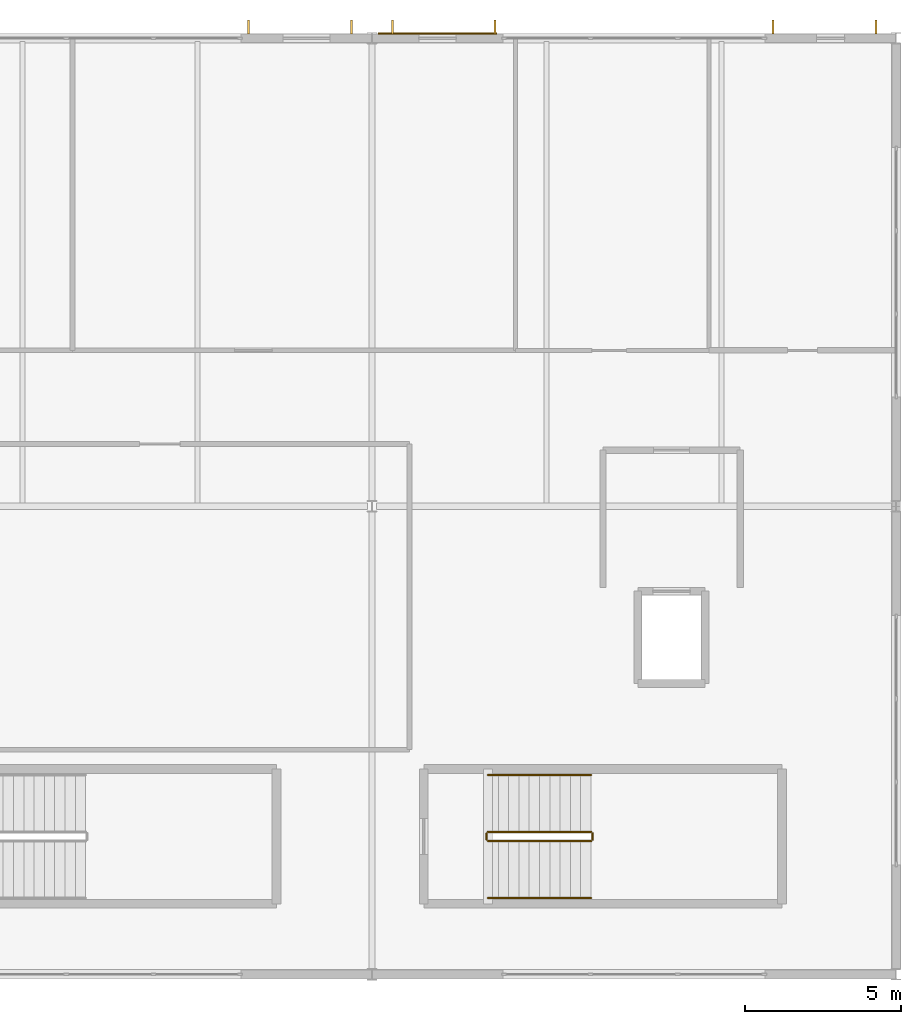
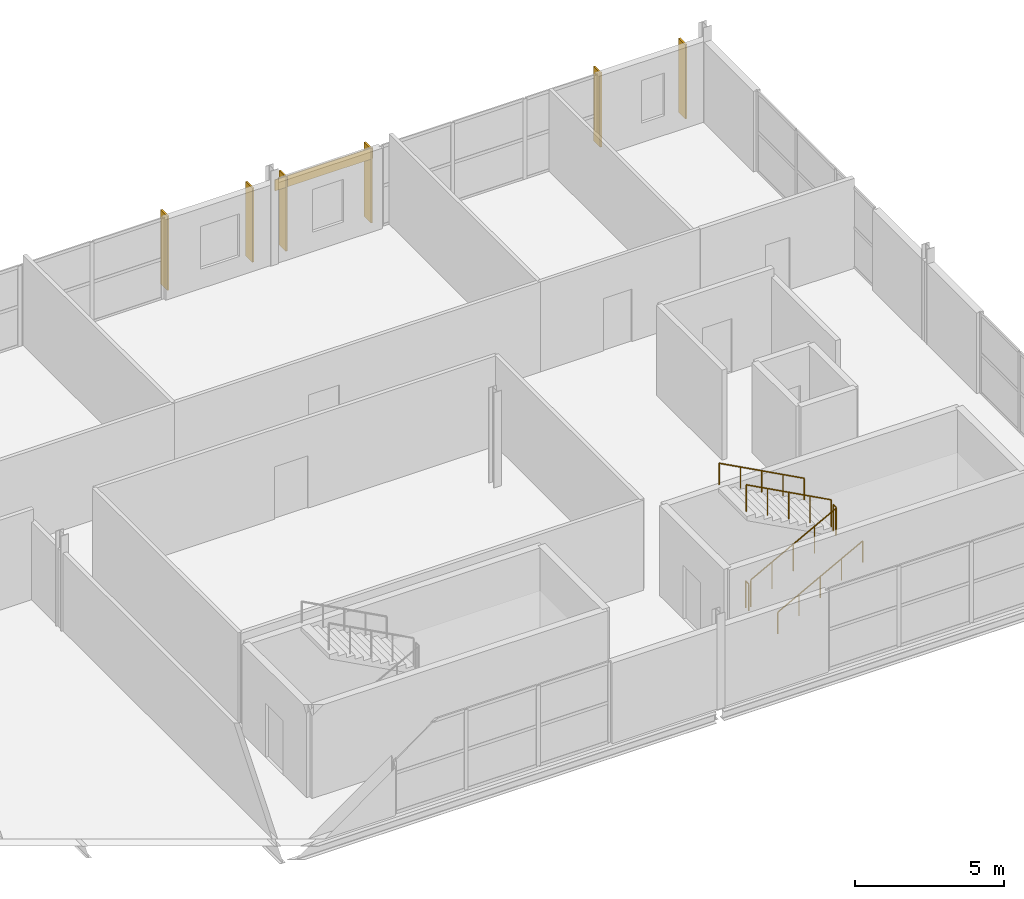
# One storey, part 18 of 18: 6 railings, 6 shading devices, 1 covering.
"""IFC4 building model written with IfcOpenShell, lengths in metres."""

from ifc_helpers import new_model, si_unit, direction, frame, origin, origin_2d, place, context, subcontext, project, spatial, rectangle, circle, extrude, material, layer, layer_set, type_object, element, save


model = new_model("IFC4")

# Units and contexts
model_context = context("Model", 3, precision=1e-05, world=origin(), true_north=direction((0.0, 1.0)))
body_context = subcontext(model_context, "Body", "Model", "MODEL_VIEW")
ifc_project = project(units=[si_unit("LENGTHUNIT", "METRE"), si_unit("AREAUNIT", "SQUARE_METRE"), si_unit("VOLUMEUNIT", "CUBIC_METRE"), si_unit("PLANEANGLEUNIT", "RADIAN"), si_unit("MASSUNIT", "GRAM", prefix="KILO")], contexts=[model_context])

# Site, building, storey
site_placement = place(None, origin())
site = spatial("IfcSite", under=ifc_project, at=site_placement, CompositionType="ELEMENT")
building_placement = place(site_placement, origin())
building = spatial("IfcBuilding", under=site, at=building_placement, Name="Kimbaza Rail Terminus", CompositionType="ELEMENT")
storey_placement = place(building_placement, frame((0.0, 0.0, 24.89990234375)))
storey = spatial("IfcBuildingStorey", under=building, at=storey_placement, Name="L05", CompositionType="ELEMENT", Elevation=24.89990234375)

# Covering
ifc_material_1 = material(Name="Champagne anodised aluminium spandrel cladding", Category="aluminium")
ifc_layer = layer(ifc_material_1, 0.034912109375)
ifc_layer_set = layer_set([ifc_layer], Name="Champagne anodised aluminium spandrel cladding")
covering_type = type_object("IfcCoveringType", Name="ARC-COV-CLD1", PredefinedType="CLADDING", material=ifc_layer_set)
covering_placement = place(storey_placement, frame((124.5, 133.156005859375, 2.77490234375), z_axis=(0.0, 0.0, 1.0), x_axis=(1.0, 0.0, 0.0)))
element("IfcCovering", 1, at=covering_placement, inside=storey, type_object=covering_type, Name="North Spandrel Cladding L05 Bay 4", PredefinedType="CLADDING", context=body_context, shape_type="SweptSolid", body=[
    extrude(rectangle(XDim=3.800048828125, YDim=0.034912109375, at=origin_2d()), origin(), (0.0, 0.0, 1.0), 0.449951171875),
])

# Railings
ifc_material_2 = material(Name="Brushed stainless steel handrail", Category="steel")
railing_type_1 = type_object("IfcRailingType", Name="ARC-RL-HND92", PredefinedType="HANDRAIL", material=ifc_material_2)
railing_1_placement = place(storey_placement, frame((126.1201171875, 105.449951171875, 0.177490234375)))
element("IfcRailing", 2, at=railing_1_placement, inside=storey, type_object=railing_type_1, Name="L05 ST-E1 stair handrail 1", PredefinedType="HANDRAIL", context=body_context, shape_type="SweptSolid", body=[
    extrude(circle(Radius=0.02392578125, at=origin_2d()), frame((0.0, 0.0, 0.8759765625), z_axis=(0.880929018602, 0.0, 0.473248416992), x_axis=(0.0, 1.0, 0.0)), (0.0, 0.0, 1.0), 3.745849609375),
    extrude(circle(Radius=0.02099609375, at=origin_2d()), origin(), (0.0, 0.0, 1.0), 0.851806640625),
    extrude(circle(Radius=0.02099609375, at=origin_2d()), frame((0.824951171875, 0.0, 0.443115234375)), (0.0, 0.0, 1.0), 0.851806640625),
    extrude(circle(Radius=0.02099609375, at=origin_2d()), frame((1.64990234375, 0.0, 0.88623046875)), (0.0, 0.0, 1.0), 0.851806640625),
    extrude(circle(Radius=0.02099609375, at=origin_2d()), frame((2.474853515625, 0.0, 1.32958984375)), (0.0, 0.0, 1.0), 0.851806640625),
    extrude(circle(Radius=0.02099609375, at=origin_2d()), frame((3.2998046875, 0.0, 1.772705078125)), (0.0, 0.0, 1.0), 0.851806640625),
])
railing_2_placement = place(storey_placement, frame((129.419921875, 109.389892578125, 2.12744140625)))
element("IfcRailing", 3, at=railing_2_placement, inside=storey, type_object=railing_type_1, Name="L05 ST-E1 stair handrail 2", PredefinedType="HANDRAIL", context=body_context, shape_type="SweptSolid", body=[
    extrude(circle(Radius=0.02392578125, at=origin_2d()), frame((0.0, 0.0, 0.8759765625), z_axis=(-0.880929018602, 0.0, 0.473248416992), x_axis=(0.0, -1.0, 0.0)), (0.0, 0.0, 1.0), 3.745849609375),
    extrude(circle(Radius=0.02099609375, at=origin_2d()), origin(), (0.0, 0.0, 1.0), 0.851806640625),
    extrude(circle(Radius=0.02099609375, at=origin_2d()), frame((-0.824951171875, 0.0, 0.443115234375)), (0.0, 0.0, 1.0), 0.851806640625),
    extrude(circle(Radius=0.02099609375, at=origin_2d()), frame((-1.64990234375, 0.0, 0.88623046875)), (0.0, 0.0, 1.0), 0.851806640625),
    extrude(circle(Radius=0.02099609375, at=origin_2d()), frame((-2.474853515625, 0.0, 1.32958984375)), (0.0, 0.0, 1.0), 0.851806640625),
    extrude(circle(Radius=0.02099609375, at=origin_2d()), frame((-3.2998046875, 0.0, 1.772705078125)), (0.0, 0.0, 1.0), 0.851806640625),
])
ifc_material_3 = material(Name="Painted tubular steel stair well guard", Category="steel")
railing_type_2 = type_object("IfcRailingType", Name="ARC-RL-STGRD", PredefinedType="GUARDRAIL", material=ifc_material_3)
railing_3_placement = place(storey_placement, frame((126.1201171875, 107.27001953125, 0.177490234375)))
element("IfcRailing", 4, at=railing_3_placement, inside=storey, type_object=railing_type_2, Name="L05 ST-E1 stair guard 1", PredefinedType="GUARDRAIL", context=body_context, shape_type="SweptSolid", body=[
    extrude(circle(Radius=0.02392578125, at=origin_2d()), frame((0.0, 0.0, 1.09619140625), z_axis=(0.880929018602, 0.0, 0.473248416992), x_axis=(0.0, 1.0, 0.0)), (0.0, 0.0, 1.0), 3.745849609375),
    extrude(circle(Radius=0.02099609375, at=origin_2d()), origin(), (0.0, 0.0, 1.0), 1.072021484375),
    extrude(circle(Radius=0.02099609375, at=origin_2d()), frame((0.824951171875, 0.0, 0.443115234375)), (0.0, 0.0, 1.0), 1.072021484375),
    extrude(circle(Radius=0.02099609375, at=origin_2d()), frame((1.64990234375, 0.0, 0.88623046875)), (0.0, 0.0, 1.0), 1.072021484375),
    extrude(circle(Radius=0.02099609375, at=origin_2d()), frame((2.474853515625, 0.0, 1.32958984375)), (0.0, 0.0, 1.0), 1.072021484375),
    extrude(circle(Radius=0.02099609375, at=origin_2d()), frame((3.2998046875, 0.0, 1.772705078125)), (0.0, 0.0, 1.0), 1.072021484375),
])
railing_4_placement = place(storey_placement, frame((129.469970703125, 107.320068359375, 1.9501953125)))
element("IfcRailing", 5, at=railing_4_placement, inside=storey, type_object=railing_type_2, Name="L05 ST-E1 stair guard 2", PredefinedType="GUARDRAIL", context=body_context, shape_type="SweptSolid", body=[
    extrude(circle(Radius=0.02392578125, at=origin_2d()), frame((0.0, 0.0, 1.09619140625), z_axis=(0.0, 1.0, 0.0), x_axis=(-1.0, 0.0, 0.0)), (0.0, 0.0, 1.0), 0.199951171875),
    extrude(circle(Radius=0.02099609375, at=origin_2d()), origin(), (0.0, 0.0, 1.0), 1.072021484375),
    extrude(circle(Radius=0.02099609375, at=origin_2d()), frame((0.0, 0.199951171875, 0.0)), (0.0, 0.0, 1.0), 1.072021484375),
])
railing_5_placement = place(storey_placement, frame((129.419921875, 107.570068359375, 2.12744140625)))
element("IfcRailing", 6, at=railing_5_placement, inside=storey, type_object=railing_type_2, Name="L05 ST-E1 stair guard 3", PredefinedType="GUARDRAIL", context=body_context, shape_type="SweptSolid", body=[
    extrude(circle(Radius=0.02392578125, at=origin_2d()), frame((0.0, 0.0, 1.09619140625), z_axis=(-0.880929018602, 0.0, 0.473248416992), x_axis=(0.0, -1.0, 0.0)), (0.0, 0.0, 1.0), 3.745849609375),
    extrude(circle(Radius=0.02099609375, at=origin_2d()), origin(), (0.0, 0.0, 1.0), 1.072021484375),
    extrude(circle(Radius=0.02099609375, at=origin_2d()), frame((-0.824951171875, 0.0, 0.443115234375)), (0.0, 0.0, 1.0), 1.072021484375),
    extrude(circle(Radius=0.02099609375, at=origin_2d()), frame((-1.64990234375, 0.0, 0.88623046875)), (0.0, 0.0, 1.0), 1.072021484375),
    extrude(circle(Radius=0.02099609375, at=origin_2d()), frame((-2.474853515625, 0.0, 1.32958984375)), (0.0, 0.0, 1.0), 1.072021484375),
    extrude(circle(Radius=0.02099609375, at=origin_2d()), frame((-3.2998046875, 0.0, 1.772705078125)), (0.0, 0.0, 1.0), 1.072021484375),
])
railing_6_placement = place(storey_placement, frame((126.070068359375, 107.320068359375, 0.0)))
element("IfcRailing", 7, at=railing_6_placement, inside=storey, type_object=railing_type_2, Name="L05 ST-E1 stair guard 4", PredefinedType="GUARDRAIL", context=body_context, shape_type="SweptSolid", body=[
    extrude(circle(Radius=0.02392578125, at=origin_2d()), frame((0.0, 0.0, 1.09619140625), z_axis=(0.0, 1.0, 0.0), x_axis=(-1.0, 0.0, 0.0)), (0.0, 0.0, 1.0), 0.199951171875),
    extrude(circle(Radius=0.02099609375, at=origin_2d()), origin(), (0.0, 0.0, 1.0), 1.072021484375),
    extrude(circle(Radius=0.02099609375, at=origin_2d()), frame((0.0, 0.199951171875, 0.0)), (0.0, 0.0, 1.0), 1.072021484375),
])

# Shading devices
ifc_material_4 = material(Name="Champagne anodised extruded aluminium", Category="aluminium")
shading_device_type = type_object("IfcShadingDeviceType", Name="ARC-SHD-FIN450", PredefinedType="USERDEFINED", material=ifc_material_4)
for number, where, z_axis, x_axis, name in (
    (8, (118.449951171875, 133.363037109375, 0.14990234375), (0.0, 0.0, 1.0), (1.0, 0.0, 0.0), "North Solar Fin L05 Bay 3.3"),
    (9, (121.75, 133.363037109375, 0.14990234375), (0.0, 0.0, 1.0), (1.0, 0.0, 0.0), "North Solar Fin L05 Bay 3.4"),
    (10, (123.050048828125, 133.363037109375, 0.14990234375), (0.0, 0.0, 1.0), (1.0, 0.0, 0.0), "North Solar Fin L05 Bay 4.1"),
    (11, (126.35009765625, 133.363037109375, 0.14990234375), (0.0, 0.0, 1.0), (1.0, 0.0, 0.0), "North Solar Fin L05 Bay 4.2"),
    (12, (135.25, 133.363037109375, 0.14990234375), (0.0, 0.0, 1.0), (1.0, 0.0, 0.0), "North Solar Fin L05 Bay 4.3"),
    (13, (138.550048828125, 133.363037109375, 0.14990234375), (0.0, 0.0, 1.0), (1.0, 0.0, 0.0), "North Solar Fin L05 Bay 4.4"),
):
    element("IfcShadingDevice", number, at=place(storey_placement, frame(where, z_axis=z_axis, x_axis=x_axis)), inside=storey, type_object=shading_device_type, Name=name, ObjectType="BRISE SOLEIL FIN", PredefinedType="USERDEFINED", context=body_context, shape_type="SweptSolid", body=[
        extrude(rectangle(XDim=0.06494140625, YDim=0.449951171875, at=origin_2d()), origin(), (0.0, 0.0, 1.0), 3.050048828125),
    ])

save(model, "model.ifc")
